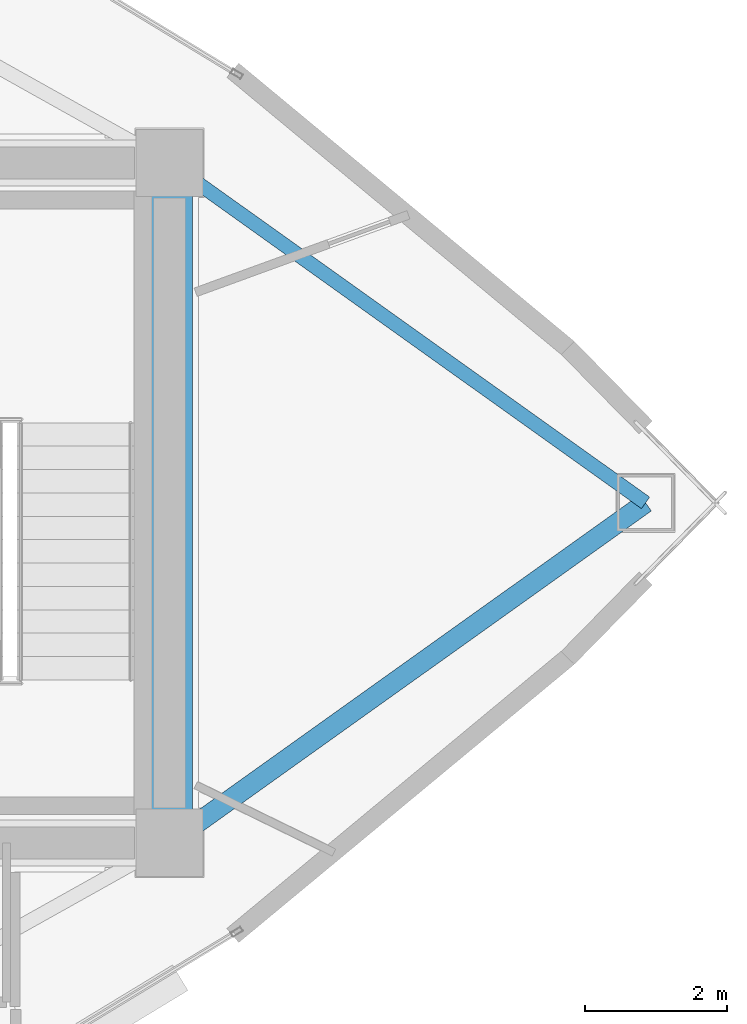
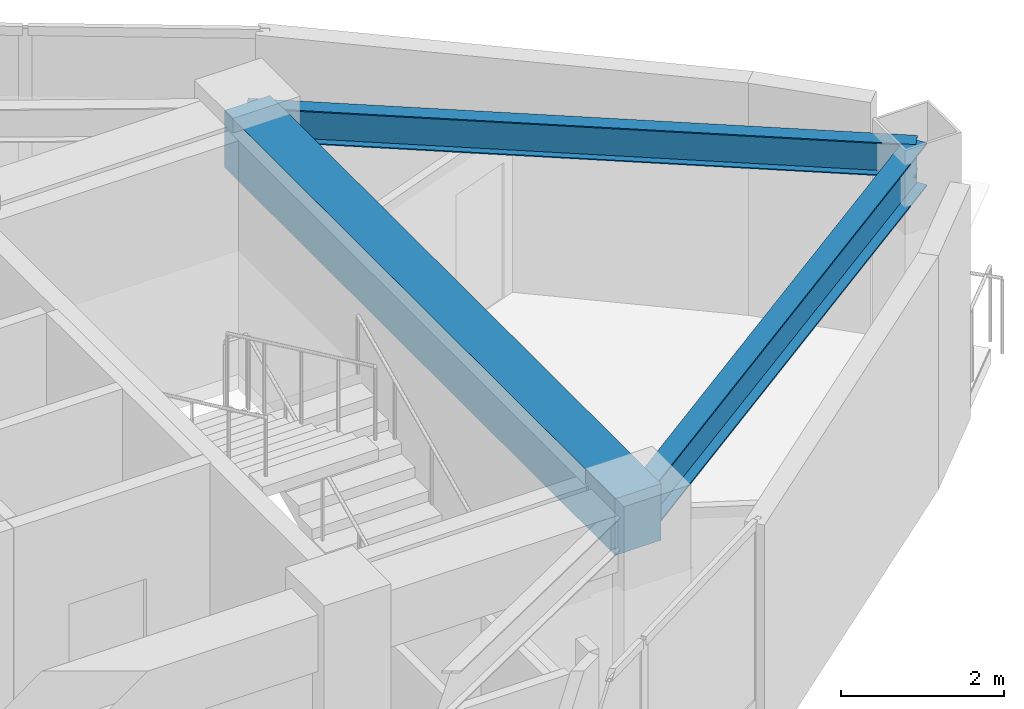
# One storey, part 6 of 16: 3 beams.
"""IFC4 building model written with IfcOpenShell, lengths in metres."""

from ifc_helpers import new_model, si_unit, direction, frame, origin, origin_2d, place, context, subcontext, project, spatial, rectangle, i_section, extrude, material, material_profile, profile_set, type_object, element, save


model = new_model("IFC4")

# Units and contexts
model_context = context("Model", 3, precision=1e-05, world=origin(), true_north=direction((0.0, 1.0)))
body_context = subcontext(model_context, "Body", "Model", "MODEL_VIEW")
ifc_project = project(units=[si_unit("LENGTHUNIT", "METRE"), si_unit("AREAUNIT", "SQUARE_METRE"), si_unit("VOLUMEUNIT", "CUBIC_METRE"), si_unit("PLANEANGLEUNIT", "RADIAN"), si_unit("MASSUNIT", "GRAM", prefix="KILO")], contexts=[model_context])

# Site, building, storey
site_placement = place(None, origin())
site = spatial("IfcSite", under=ifc_project, at=site_placement, CompositionType="ELEMENT")
building_placement = place(site_placement, origin())
building = spatial("IfcBuilding", under=site, at=building_placement, Name="Menara Vayukalpa", CompositionType="ELEMENT")
storey_placement = place(building_placement, frame((0.0, 0.0, 276.89990234375)))
storey = spatial("IfcBuildingStorey", under=building, at=storey_placement, Name="L70", CompositionType="ELEMENT", Elevation=276.89990234375)

# Beams
ifc_material_1 = material(Name="Concrete C60/75", Category="concrete")
ifc_material_profile_1 = material_profile(ifc_material_1, rectangle(XDim=0.64990234375, YDim=0.85009765625, at=origin_2d()), Name="RC 650x850")
ifc_profile_set_1 = profile_set([ifc_material_profile_1], Name="Concrete C60/75")
beam_type_1 = type_object("IfcBeamType", Name="BM-CB1", PredefinedType="BEAM", material=ifc_profile_set_1)
beam_1_placement = place(storey_placement, frame((33.39990234375, 17.199951171875, 3.0751953125), z_axis=(0.0, 1.0, 0.0), x_axis=(-1.0, 0.0, 0.0)))
element("IfcBeam", 1, at=beam_1_placement, inside=storey, type_object=beam_type_1, Name="L70 Core Tie Beam CBR8", PredefinedType="BEAM", context=body_context, shape_type="SweptSolid", body=[
    extrude(rectangle(XDim=0.64990234375, YDim=0.85009765625, at=origin_2d()), origin(), (0.0, 0.0, 1.0), 9.60009765625),
])
ifc_material_2 = material(Name="Steel S355", Category="steel")
ifc_material_profile_2 = material_profile(ifc_material_2, i_section(OverallWidth=0.280029296875, OverallDepth=0.64990234375, WebThickness=0.012939453125, FlangeThickness=0.02197265625, at=origin_2d()), Name="WF 650x280x13x22")
ifc_profile_set_2 = profile_set([ifc_material_profile_2], Name="Steel S355")
beam_type_2 = type_object("IfcBeamType", Name="BM-PG6", PredefinedType="BEAM", material=ifc_profile_set_2)
beam_2_placement = place(storey_placement, frame((33.603515625, 17.34521484375, 3.175048828125), z_axis=(0.813801429135, 0.581143040859, 0.0), x_axis=(-0.581143040859, 0.813801429135, 0.0)))
element("IfcBeam", 2, at=beam_2_placement, inside=storey, type_object=beam_type_2, Name="L70 Primary Radial Girder RG01", PredefinedType="BEAM", context=body_context, shape_type="SweptSolid", body=[
    extrude(i_section(OverallWidth=0.280029296875, OverallDepth=0.64990234375, WebThickness=0.012939453125, FlangeThickness=0.02197265625, at=origin_2d()), origin(), (0.0, 0.0, 1.0), 8.009765625),
])
ifc_material_3 = material(Name="Steel S355", Category="steel")
ifc_material_profile_3 = material_profile(ifc_material_3, i_section(OverallWidth=0.199951171875, OverallDepth=0.5, WebThickness=0.010009765625, FlangeThickness=0.01611328125, at=origin_2d()), Name="WF 500x200x10x16")
ifc_profile_set_3 = profile_set([ifc_material_profile_3], Name="Steel S355")
beam_type_3 = type_object("IfcBeamType", Name="BM-SP3", PredefinedType="SPANDREL", material=ifc_profile_set_3)
beam_3_placement = place(storey_placement, frame((40.121826171875, 22.0, 3.25), z_axis=(-0.813809355401, 0.581131941181, 0.0), x_axis=(-0.581131941181, -0.813809355401, 0.0)))
element("IfcBeam", 3, at=beam_3_placement, inside=storey, type_object=beam_type_3, Name="L70 Perimeter Spandrel Beam SP01", PredefinedType="SPANDREL", context=body_context, shape_type="SweptSolid", body=[
    extrude(i_section(OverallWidth=0.199951171875, OverallDepth=0.5, WebThickness=0.010009765625, FlangeThickness=0.01611328125, at=origin_2d()), origin(), (0.0, 0.0, 1.0), 8.259765625),
])

save(model, "model.ifc")
